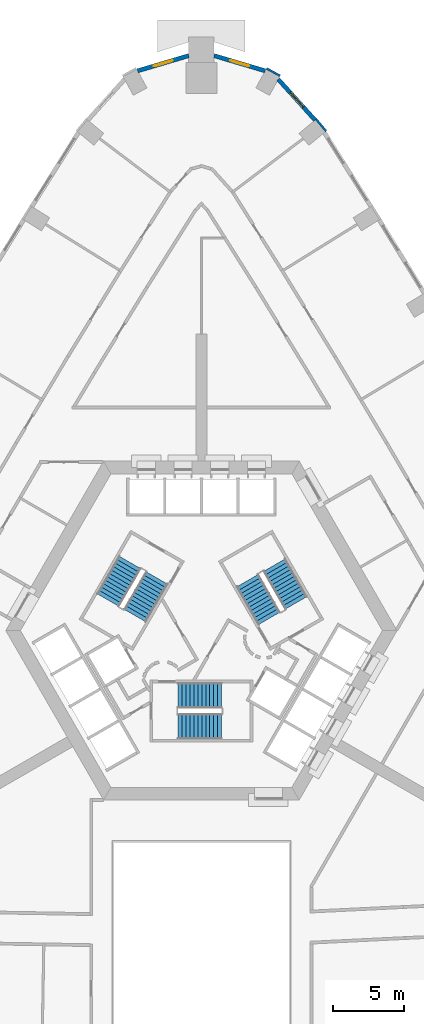
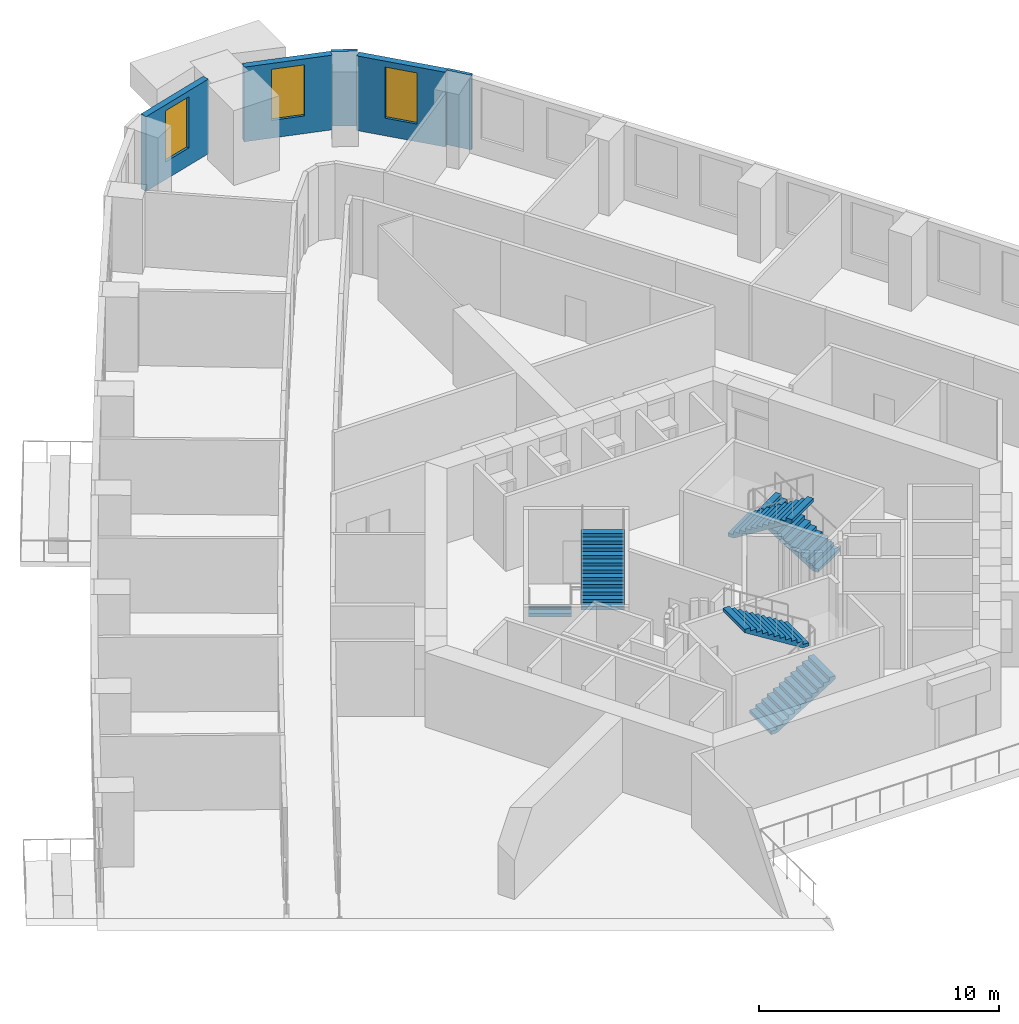
# One storey, part 12 of 15: 6 stair flights, 5 walls, 3 windows, 3 openings, 3 elements without a shape of their own.
"""IFC4 building model written with IfcOpenShell, lengths in metres."""

from ifc_helpers import new_model, si_unit, direction, frame, frame_2d, origin, place, context, subcontext, project, spatial, polyline, rectangle, outline, extrude, material, layer, layer_set, type_object, element, fill, aggregate, save


model = new_model("IFC4")

# Units and contexts
model_context = context("Model", 3, precision=1e-05, world=origin(), true_north=direction((0.0, 1.0)))
body_context = subcontext(model_context, "Body", "Model", "MODEL_VIEW")
ifc_project = project(units=[si_unit("LENGTHUNIT", "METRE"), si_unit("AREAUNIT", "SQUARE_METRE"), si_unit("VOLUMEUNIT", "CUBIC_METRE"), si_unit("PLANEANGLEUNIT", "RADIAN"), si_unit("MASSUNIT", "GRAM", prefix="KILO")], contexts=[model_context])

# Site, building, storey
site_placement = place(None, origin())
site = spatial("IfcSite", under=ifc_project, at=site_placement, CompositionType="ELEMENT")
building_placement = place(site_placement, origin())
building = spatial("IfcBuilding", under=site, at=building_placement, Name="Entoto Arch Interchange Tower", CompositionType="ELEMENT")
storey_placement = place(building_placement, frame((0.0, 0.0, 120.199951171875)))
storey = spatial("IfcBuildingStorey", under=building, at=storey_placement, Name="L26", CompositionType="ELEMENT", Elevation=120.199951171875)

# Wall, opening, window
ifc_material_1 = material(Name="Welded tuff (ignimbrite) cladding, warm buff", Category="masonry")
ifc_layer_1 = layer(ifc_material_1, 0.300048828125)
ifc_layer_set_1 = layer_set([ifc_layer_1], Name="Welded tuff (ignimbrite) cladding, warm buff")
wall_type_1 = type_object("IfcWallType", Name="STONE INFILL WALL 300", PredefinedType="STANDARD", material=ifc_layer_set_1)
wall_1_placement = place(storey_placement, frame((8.052001953125, 38.660888671875, 0.0), z_axis=(0.0, 0.0, 1.0), x_axis=(-0.66966434159, 0.742663900834, 0.0)))
wall_1 = element("IfcWall", 1, at=wall_1_placement, inside=storey, type_object=wall_type_1, Name="Facade wall N-01 L26", PredefinedType="STANDARD", context=body_context, shape_type="SweptSolid", body=[
    extrude(rectangle(XDim=3.892822265625, YDim=0.300048828125, at=frame_2d((1.9462890625, 0.0))), origin(), (0.0, 0.0, 1.0), 3.800048828125),
])
opening_1_placement = place(wall_1_placement, frame((1.24609375, 0.0, 0.89990234375)))
opening_1 = element("IfcOpeningElement", 2, at=opening_1_placement, cuts=wall_1, Name="Opening WO-B", PredefinedType="OPENING", context=body_context, shape_type="SweptSolid", body=[
    extrude(rectangle(XDim=1.39990234375, YDim=2.60009765625, at=frame_2d((0.699951171875, 1.300048828125))), frame((0.0, 0.16015625, 0.0), z_axis=(0.0, -1.0, 0.0), x_axis=(1.0, 0.0, 0.0)), (0.0, 0.0, 1.0), 0.320068359375),
])
ifc_material_2 = material(Name="Clear glass, low-e double glazed", Category="glass")
window_type = type_object("IfcWindowType", Name="WINDOW WO-B 1400x2600", PartitioningType="DOUBLE_PANEL_VERTICAL", PredefinedType="WINDOW", material=ifc_material_2)
window_1_placement = place(opening_1_placement, origin())
window_1 = element("IfcWindow", 3, at=window_1_placement, inside=storey, type_object=window_type, Name="Window WO-B N-01 L26", OverallHeight=2.60009765625, OverallWidth=1.39990234375, PartitioningType="SINGLE_PANEL", PredefinedType="WINDOW", context=body_context, shape_type="SweptSolid", body=[
    extrude(rectangle(XDim=1.39990234375, YDim=2.60009765625, at=frame_2d((0.699951171875, 1.300048828125))), frame((0.0, 0.030029296875, 0.0), z_axis=(0.0, -1.0, 0.0), x_axis=(1.0, 0.0, 0.0)), (0.0, 0.0, 1.0), 0.06005859375),
])
fill(opening_1, window_1)

wall_2_placement = place(storey_placement, frame((4.52001953125, 42.14892578125, 0.0), z_axis=(0.0, 0.0, 1.0), x_axis=(-0.958563070772, 0.284880394819, 0.0)))
wall_2 = element("IfcWall", 4, at=wall_2_placement, inside=storey, type_object=wall_type_1, Name="Facade wall N-02 L26", PredefinedType="STANDARD", context=body_context, shape_type="SweptSolid", body=[
    extrude(rectangle(XDim=3.777587890625, YDim=0.300048828125, at=frame_2d((1.888671875, 0.0))), origin(), (0.0, 0.0, 1.0), 3.800048828125),
])
opening_2_placement = place(wall_2_placement, frame((1.18896484375, 0.0, 0.89990234375)))
opening_2 = element("IfcOpeningElement", 5, at=opening_2_placement, cuts=wall_2, Name="Opening WO-B", PredefinedType="OPENING", context=body_context, shape_type="SweptSolid", body=[
    extrude(rectangle(XDim=1.39990234375, YDim=2.60009765625, at=frame_2d((0.699951171875, 1.300048828125))), frame((0.0, 0.16015625, 0.0), z_axis=(0.0, -1.0, 0.0), x_axis=(1.0, 0.0, 0.0)), (0.0, 0.0, 1.0), 0.320068359375),
])
window_2_placement = place(opening_2_placement, origin())
window_2 = element("IfcWindow", 6, at=window_2_placement, inside=storey, type_object=window_type, Name="Window WO-B N-02 L26", OverallHeight=2.60009765625, OverallWidth=1.39990234375, PartitioningType="SINGLE_PANEL", PredefinedType="WINDOW", context=body_context, shape_type="SweptSolid", body=[
    extrude(rectangle(XDim=1.39990234375, YDim=2.60009765625, at=frame_2d((0.699951171875, 1.300048828125))), frame((0.0, 0.030029296875, 0.0), z_axis=(0.0, -1.0, 0.0), x_axis=(1.0, 0.0, 0.0)), (0.0, 0.0, 1.0), 0.06005859375),
])
fill(opening_2, window_2)

wall_3_placement = place(storey_placement, frame((-0.89892578125, 43.22509765625, 0.0), z_axis=(0.0, 0.0, 1.0), x_axis=(-0.958563070772, -0.284880394819, 0.0)))
wall_3 = element("IfcWall", 7, at=wall_3_placement, inside=storey, type_object=wall_type_1, Name="Facade wall N-03 L26", PredefinedType="STANDARD", context=body_context, shape_type="SweptSolid", body=[
    extrude(rectangle(XDim=3.777587890625, YDim=0.300048828125, at=frame_2d((1.888671875, 0.0))), origin(), (0.0, 0.0, 1.0), 3.800048828125),
])
opening_3_placement = place(wall_3_placement, frame((1.18896484375, 0.0, 0.89990234375)))
opening_3 = element("IfcOpeningElement", 8, at=opening_3_placement, cuts=wall_3, Name="Opening WO-B", PredefinedType="OPENING", context=body_context, shape_type="SweptSolid", body=[
    extrude(rectangle(XDim=1.39990234375, YDim=2.60009765625, at=frame_2d((0.699951171875, 1.300048828125))), frame((0.0, 0.16015625, 0.0), z_axis=(0.0, -1.0, 0.0), x_axis=(1.0, 0.0, 0.0)), (0.0, 0.0, 1.0), 0.320068359375),
])
window_3_placement = place(opening_3_placement, origin())
window_3 = element("IfcWindow", 9, at=window_3_placement, inside=storey, type_object=window_type, Name="Window WO-B N-03 L26", OverallHeight=2.60009765625, OverallWidth=1.39990234375, PartitioningType="SINGLE_PANEL", PredefinedType="WINDOW", context=body_context, shape_type="SweptSolid", body=[
    extrude(rectangle(XDim=1.39990234375, YDim=2.60009765625, at=frame_2d((0.699951171875, 1.300048828125))), frame((0.0, 0.030029296875, 0.0), z_axis=(0.0, -1.0, 0.0), x_axis=(1.0, 0.0, 0.0)), (0.0, 0.0, 1.0), 0.06005859375),
])
fill(opening_3, window_3)

# Walls
ifc_layer_2 = layer(ifc_material_1, 0.14990234375)
ifc_layer_set_2 = layer_set([ifc_layer_2], Name="Welded tuff (ignimbrite) cladding, warm buff")
wall_type_2 = type_object("IfcWallType", Name="STONE PIER CLADDING 150", PredefinedType="STANDARD", material=ifc_layer_set_2)
wall_4_placement = place(storey_placement, frame((5.5791015625, 41.7939453125, 0.0), z_axis=(0.0, 0.0, 1.0), x_axis=(-0.877463015547, 0.479644301902, 0.0)))
element("IfcWall", 10, at=wall_4_placement, inside=storey, type_object=wall_type_2, Name="Stone pier N1 L26", PredefinedType="STANDARD", context=body_context, shape_type="SweptSolid", body=[
    extrude(rectangle(XDim=1.10107421875, YDim=0.14990234375, at=frame_2d((0.550537109375, 0.0))), origin(), (0.0, 0.0, 1.0), 3.800048828125),
])
wall_5_placement = place(storey_placement, frame((8.827880859375, 37.8779296875, 0.0), z_axis=(0.0, 0.0, 1.0), x_axis=(-0.638435351024, 0.769675452748, 0.0)))
element("IfcWall", 11, at=wall_5_placement, inside=storey, type_object=wall_type_2, Name="Stone pier NE09 L26", PredefinedType="STANDARD", context=body_context, shape_type="SweptSolid", body=[
    extrude(rectangle(XDim=1.099365234375, YDim=0.14990234375, at=frame_2d((0.5498046875, 0.0))), origin(), (0.0, 0.0, 1.0), 3.800048828125),
])

# Stair, stair flights
ifc_material_3 = material(Name="Concrete C40/50", Category="concrete")
stair_type = type_object("IfcStairType", Name="EXIT STAIR RC 1800", PredefinedType="HALF_TURN_STAIR", material=ifc_material_3)
stair_1_placement = place(storey_placement, origin())
stair_1 = element("IfcStair", 12, at=stair_1_placement, inside=storey, type_object=stair_type, Name="L26 Exit stair S", PredefinedType="HALF_TURN_STAIR")
stair_flight_type = type_object("IfcStairFlightType", Name="EXIT STAIR FLIGHT RC 1800", PredefinedType="STRAIGHT", material=ifc_material_3)
stair_flight_1_placement = place(storey_placement, frame((-1.64990234375, -4.300048828125, 0.0), z_axis=(0.0, 0.0, 1.0), x_axis=(1.0, 0.0, 0.0)))
stair_flight_1 = element("IfcStairFlight", 13, at=stair_flight_1_placement, type_object=stair_flight_type, Name="ST-S flight 1", NumberOfRisers=12, NumberOfTreads=11, PredefinedType="STRAIGHT", RiserHeight=0.175, TreadLength=0.28, context=body_context, shape_type="SweptSolid", body=[
    extrude(outline(polyline([(-0.0029296875, 0.0), (-0.0029296875, 0.175048828125), (0.280029296875, 0.175048828125), (0.280029296875, 0.35009765625), (0.56005859375, 0.35009765625), (0.56005859375, 0.52490234375), (0.840087890625, 0.52490234375), (0.840087890625, 0.699951171875), (1.1201171875, 0.699951171875), (1.1201171875, 0.875), (1.39990234375, 0.875), (1.39990234375, 1.050048828125), (1.679931640625, 1.050048828125), (1.679931640625, 1.22509765625), (1.9599609375, 1.22509765625), (1.9599609375, 1.39990234375), (2.239990234375, 1.39990234375), (2.239990234375, 1.574951171875), (2.52001953125, 1.574951171875), (2.52001953125, 1.75), (2.800048828125, 1.75), (2.800048828125, 1.925048828125), (3.080078125, 1.925048828125), (3.0830078125, 1.925048828125), (3.0830078125, 1.75), (0.28271484375, 0.0), (-0.0029296875, 0.0)])), frame((0.0, 0.89990234375, 0.0), z_axis=(0.0, -1.0, 0.0), x_axis=(1.0, 0.0, 0.0)), (0.0, 0.0, 1.0), 1.800048828125),
])
stair_flight_2_placement = place(storey_placement, frame((1.429931640625, -2.10009765625, 2.10009765625), z_axis=(0.0, 0.0, 1.0), x_axis=(-1.0, 0.0, 0.0)))
stair_flight_2 = element("IfcStairFlight", 14, at=stair_flight_2_placement, type_object=stair_flight_type, Name="ST-S flight 2", NumberOfRisers=12, NumberOfTreads=11, PredefinedType="STRAIGHT", RiserHeight=0.175, TreadLength=0.28, context=body_context, shape_type="SweptSolid", body=[
    extrude(outline(polyline([(-0.0029296875, 0.0), (-0.0029296875, 0.175048828125), (0.280029296875, 0.175048828125), (0.280029296875, 0.35009765625), (0.56005859375, 0.35009765625), (0.56005859375, 0.52490234375), (0.840087890625, 0.52490234375), (0.840087890625, 0.699951171875), (1.1201171875, 0.699951171875), (1.1201171875, 0.875), (1.39990234375, 0.875), (1.39990234375, 1.050048828125), (1.679931640625, 1.050048828125), (1.679931640625, 1.22509765625), (1.9599609375, 1.22509765625), (1.9599609375, 1.39990234375), (2.239990234375, 1.39990234375), (2.239990234375, 1.574951171875), (2.52001953125, 1.574951171875), (2.52001953125, 1.75), (2.800048828125, 1.75), (2.800048828125, 1.925048828125), (3.080078125, 1.925048828125), (3.0830078125, 1.925048828125), (3.0830078125, 1.75), (0.28271484375, 0.0), (-0.0029296875, 0.0)])), frame((0.0, 0.89990234375, 0.0), z_axis=(0.0, -1.0, 0.0), x_axis=(1.0, 0.0, 0.0)), (0.0, 0.0, 1.0), 1.800048828125),
])
aggregate(stair_1, [stair_flight_1, stair_flight_2])

stair_2_placement = place(storey_placement, origin())
stair_2 = element("IfcStair", 15, at=stair_2_placement, inside=storey, type_object=stair_type, Name="L26 Exit stair NE", PredefinedType="HALF_TURN_STAIR")
stair_flight_3_placement = place(storey_placement, frame((6.7138671875, 4.470947265625, 0.0), z_axis=(0.0, 0.0, 1.0), x_axis=(-0.5, 0.866025403784, 0.0)))
stair_flight_3 = element("IfcStairFlight", 16, at=stair_flight_3_placement, type_object=stair_flight_type, Name="ST-NE flight 1", NumberOfRisers=12, NumberOfTreads=11, PredefinedType="STRAIGHT", RiserHeight=0.175, TreadLength=0.28, context=body_context, shape_type="SweptSolid", body=[
    extrude(outline(polyline([(-0.0029296875, 0.0), (-0.0029296875, 0.175048828125), (0.280029296875, 0.175048828125), (0.280029296875, 0.35009765625), (0.56005859375, 0.35009765625), (0.56005859375, 0.52490234375), (0.840087890625, 0.52490234375), (0.840087890625, 0.699951171875), (1.1201171875, 0.699951171875), (1.1201171875, 0.875), (1.39990234375, 0.875), (1.39990234375, 1.050048828125), (1.679931640625, 1.050048828125), (1.679931640625, 1.22509765625), (1.9599609375, 1.22509765625), (1.9599609375, 1.39990234375), (2.239990234375, 1.39990234375), (2.239990234375, 1.574951171875), (2.52001953125, 1.574951171875), (2.52001953125, 1.75), (2.800048828125, 1.75), (2.800048828125, 1.925048828125), (3.080078125, 1.925048828125), (3.0830078125, 1.925048828125), (3.0830078125, 1.75), (0.28271484375, 0.0), (-0.0029296875, 0.0)])), frame((0.0, 0.89990234375, 0.0), z_axis=(0.0, -1.0, 0.0), x_axis=(1.0, 0.0, 0.0)), (0.0, 0.0, 1.0), 1.800048828125),
])
stair_flight_4_placement = place(storey_placement, frame((3.268798828125, 6.038330078125, 2.10009765625), z_axis=(0.0, 0.0, 1.0), x_axis=(0.5, -0.866025403784, 0.0)))
stair_flight_4 = element("IfcStairFlight", 17, at=stair_flight_4_placement, type_object=stair_flight_type, Name="ST-NE flight 2", NumberOfRisers=12, NumberOfTreads=11, PredefinedType="STRAIGHT", RiserHeight=0.175, TreadLength=0.28, context=body_context, shape_type="SweptSolid", body=[
    extrude(outline(polyline([(-0.0029296875, 0.0), (-0.0029296875, 0.175048828125), (0.280029296875, 0.175048828125), (0.280029296875, 0.35009765625), (0.56005859375, 0.35009765625), (0.56005859375, 0.52490234375), (0.840087890625, 0.52490234375), (0.840087890625, 0.699951171875), (1.1201171875, 0.699951171875), (1.1201171875, 0.875), (1.39990234375, 0.875), (1.39990234375, 1.050048828125), (1.679931640625, 1.050048828125), (1.679931640625, 1.22509765625), (1.9599609375, 1.22509765625), (1.9599609375, 1.39990234375), (2.239990234375, 1.39990234375), (2.239990234375, 1.574951171875), (2.52001953125, 1.574951171875), (2.52001953125, 1.75), (2.800048828125, 1.75), (2.800048828125, 1.925048828125), (3.080078125, 1.925048828125), (3.0830078125, 1.925048828125), (3.0830078125, 1.75), (0.28271484375, 0.0), (-0.0029296875, 0.0)])), frame((0.0, 0.89990234375, 0.0), z_axis=(0.0, -1.0, 0.0), x_axis=(1.0, 0.0, 0.0)), (0.0, 0.0, 1.0), 1.800048828125),
])
aggregate(stair_2, [stair_flight_3, stair_flight_4])

stair_3_placement = place(storey_placement, origin())
stair_3 = element("IfcStair", 18, at=stair_3_placement, inside=storey, type_object=stair_type, Name="L26 Exit stair NW", PredefinedType="HALF_TURN_STAIR")
stair_flight_5_placement = place(storey_placement, frame((-5.06396484375, 7.328857421875, 0.0), z_axis=(0.0, 0.0, 1.0), x_axis=(-0.5, -0.866025403784, 0.0)))
stair_flight_5 = element("IfcStairFlight", 19, at=stair_flight_5_placement, type_object=stair_flight_type, Name="ST-NW flight 1", NumberOfRisers=12, NumberOfTreads=11, PredefinedType="STRAIGHT", RiserHeight=0.175, TreadLength=0.28, context=body_context, shape_type="SweptSolid", body=[
    extrude(outline(polyline([(-0.0029296875, 0.0), (-0.0029296875, 0.175048828125), (0.280029296875, 0.175048828125), (0.280029296875, 0.35009765625), (0.56005859375, 0.35009765625), (0.56005859375, 0.52490234375), (0.840087890625, 0.52490234375), (0.840087890625, 0.699951171875), (1.1201171875, 0.699951171875), (1.1201171875, 0.875), (1.39990234375, 0.875), (1.39990234375, 1.050048828125), (1.679931640625, 1.050048828125), (1.679931640625, 1.22509765625), (1.9599609375, 1.22509765625), (1.9599609375, 1.39990234375), (2.239990234375, 1.39990234375), (2.239990234375, 1.574951171875), (2.52001953125, 1.574951171875), (2.52001953125, 1.75), (2.800048828125, 1.75), (2.800048828125, 1.925048828125), (3.080078125, 1.925048828125), (3.0830078125, 1.925048828125), (3.0830078125, 1.75), (0.28271484375, 0.0), (-0.0029296875, 0.0)])), frame((0.0, 0.89990234375, 0.0), z_axis=(0.0, -1.0, 0.0), x_axis=(1.0, 0.0, 0.0)), (0.0, 0.0, 1.0), 1.800048828125),
])
stair_flight_6_placement = place(storey_placement, frame((-4.69873046875, 3.5615234375, 2.10009765625), z_axis=(0.0, 0.0, 1.0), x_axis=(0.5, 0.866025403784, 0.0)))
stair_flight_6 = element("IfcStairFlight", 20, at=stair_flight_6_placement, type_object=stair_flight_type, Name="ST-NW flight 2", NumberOfRisers=12, NumberOfTreads=11, PredefinedType="STRAIGHT", RiserHeight=0.175, TreadLength=0.28, context=body_context, shape_type="SweptSolid", body=[
    extrude(outline(polyline([(-0.0029296875, 0.0), (-0.0029296875, 0.175048828125), (0.280029296875, 0.175048828125), (0.280029296875, 0.35009765625), (0.56005859375, 0.35009765625), (0.56005859375, 0.52490234375), (0.840087890625, 0.52490234375), (0.840087890625, 0.699951171875), (1.1201171875, 0.699951171875), (1.1201171875, 0.875), (1.39990234375, 0.875), (1.39990234375, 1.050048828125), (1.679931640625, 1.050048828125), (1.679931640625, 1.22509765625), (1.9599609375, 1.22509765625), (1.9599609375, 1.39990234375), (2.239990234375, 1.39990234375), (2.239990234375, 1.574951171875), (2.52001953125, 1.574951171875), (2.52001953125, 1.75), (2.800048828125, 1.75), (2.800048828125, 1.925048828125), (3.080078125, 1.925048828125), (3.0830078125, 1.925048828125), (3.0830078125, 1.75), (0.28271484375, 0.0), (-0.0029296875, 0.0)])), frame((0.0, 0.89990234375, 0.0), z_axis=(0.0, -1.0, 0.0), x_axis=(1.0, 0.0, 0.0)), (0.0, 0.0, 1.0), 1.800048828125),
])
aggregate(stair_3, [stair_flight_5, stair_flight_6])

save(model, "model.ifc")
